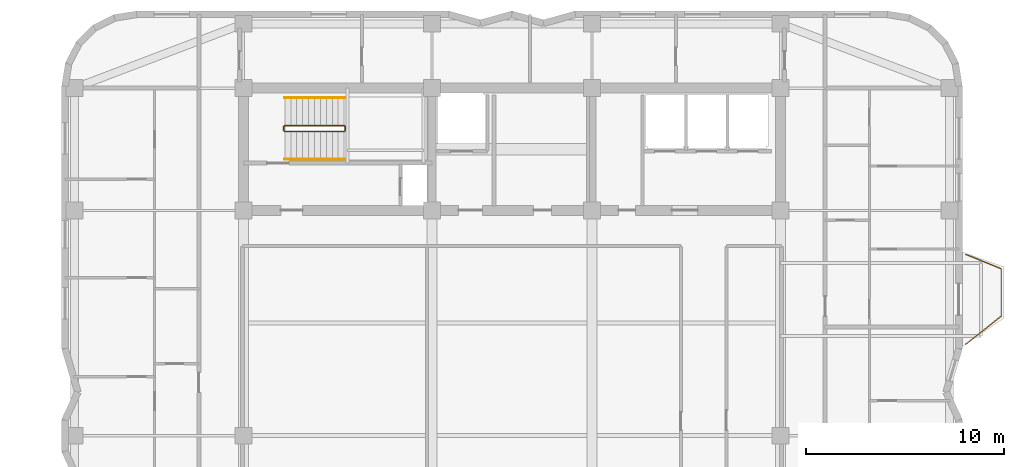
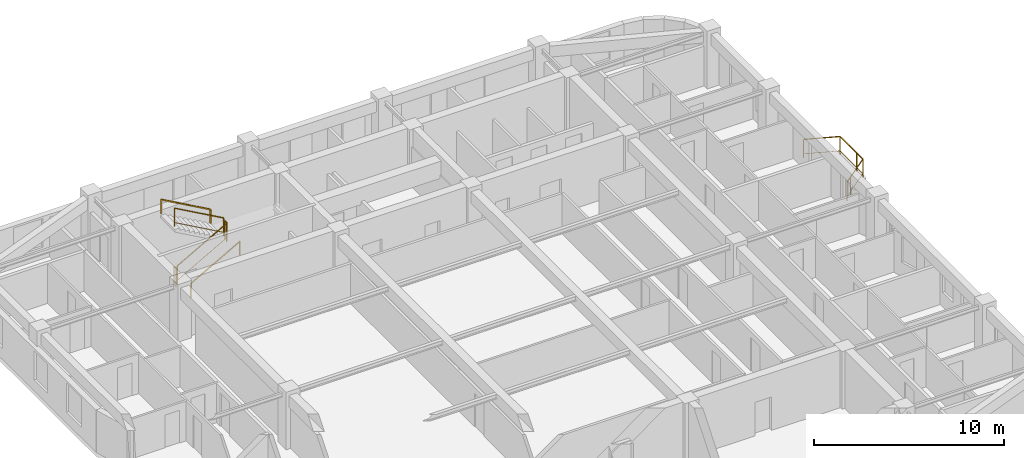
# One storey, part 9 of 9: 7 railings.
"""IFC4 building model written with IfcOpenShell, lengths in metres."""

from ifc_helpers import new_model, si_unit, direction, frame, origin, origin_2d, place, context, subcontext, project, spatial, rectangle, extrude, material, type_object, element, save


model = new_model("IFC4")

# Units and contexts
model_context = context("Model", 3, precision=1e-05, world=origin(), true_north=direction((0.0, 1.0)))
body_context = subcontext(model_context, "Body", "Model", "MODEL_VIEW")
ifc_project = project(units=[si_unit("LENGTHUNIT", "METRE"), si_unit("AREAUNIT", "SQUARE_METRE"), si_unit("VOLUMEUNIT", "CUBIC_METRE"), si_unit("PLANEANGLEUNIT", "RADIAN"), si_unit("MASSUNIT", "GRAM", prefix="KILO")], contexts=[model_context])

# Site, building, storey
site_placement = place(None, origin())
site = spatial("IfcSite", under=ifc_project, at=site_placement, CompositionType="ELEMENT")
building_placement = place(site_placement, origin())
building = spatial("IfcBuilding", under=site, at=building_placement, Name="Svetorya Sky Lyceum", CompositionType="ELEMENT")
storey_placement = place(building_placement, frame((0.0, 0.0, 211.0)))
storey = spatial("IfcBuildingStorey", under=building, at=storey_placement, Name="L52", CompositionType="ELEMENT", Elevation=211.0)

# Railings
ifc_material_1 = material(Name="Laminated safety glass and stainless AISI 316", Category="glass")
railing_type_1 = type_object("IfcRailingType", Name="RL-BAL-1200", PredefinedType="BALUSTRADE", material=ifc_material_1)
railing_1_placement = place(storey_placement, frame((62.169921875, 37.3798828125, 0.0)))
element("IfcRailing", 1, at=railing_1_placement, inside=storey, type_object=railing_type_1, Name="L52 Balcony Balustrade BAL-E1", PredefinedType="BALUSTRADE", context=body_context, shape_type="SweptSolid", body=[
    extrude(rectangle(XDim=0.048095703125, YDim=0.048095703125, at=origin_2d()), frame((0.0, 0.0, 1.17578125), z_axis=(0.926697865975, -0.375807218129, 0.0), x_axis=(0.375807218129, 0.926697865975, 0.0)), (0.0, 0.0, 1.0), 1.9423828125),
    extrude(rectangle(XDim=0.02392578125, YDim=0.02392578125, at=origin_2d()), frame((0.0, 0.0, 0.25), z_axis=(0.926697865975, -0.375807218129, 0.0), x_axis=(0.375807218129, 0.926697865975, 0.0)), (0.0, 0.0, 1.0), 1.9423828125),
    extrude(rectangle(XDim=0.048095703125, YDim=0.048095703125, at=origin_2d()), frame((1.800048828125, -0.72998046875, 1.17578125), z_axis=(0.0, -1.0, 0.0), x_axis=(1.0, 0.0, 0.0)), (0.0, 0.0, 1.0), 2.39990234375),
    extrude(rectangle(XDim=0.02392578125, YDim=0.02392578125, at=origin_2d()), frame((1.800048828125, -0.72998046875, 0.25), z_axis=(0.0, -1.0, 0.0), x_axis=(1.0, 0.0, 0.0)), (0.0, 0.0, 1.0), 2.39990234375),
    extrude(rectangle(XDim=0.048095703125, YDim=0.048095703125, at=origin_2d()), frame((1.800048828125, -3.1298828125, 1.17578125), z_axis=(-0.783008919264, -0.622010476079, 0.0), x_axis=(0.622010476079, -0.783008919264, 0.0)), (0.0, 0.0, 1.0), 2.298828125),
    extrude(rectangle(XDim=0.02392578125, YDim=0.02392578125, at=origin_2d()), frame((1.800048828125, -3.1298828125, 0.25), z_axis=(-0.783008919264, -0.622010476079, 0.0), x_axis=(0.622010476079, -0.783008919264, 0.0)), (0.0, 0.0, 1.0), 2.298828125),
    extrude(rectangle(XDim=0.0419921875, YDim=0.0419921875, at=origin_2d()), origin(), (0.0, 0.0, 1.0), 1.15185546875),
    extrude(rectangle(XDim=0.0419921875, YDim=0.0419921875, at=origin_2d()), frame((1.800048828125, -0.72998046875, 0.0)), (0.0, 0.0, 1.0), 1.15185546875),
    extrude(rectangle(XDim=0.0419921875, YDim=0.0419921875, at=origin_2d()), frame((1.800048828125, -2.47998046875, 0.0)), (0.0, 0.0, 1.0), 1.15185546875),
    extrude(rectangle(XDim=0.0419921875, YDim=0.0419921875, at=origin_2d()), frame((1.800048828125, -3.1298828125, 0.0)), (0.0, 0.0, 1.0), 1.15185546875),
    extrude(rectangle(XDim=0.0419921875, YDim=0.0419921875, at=origin_2d()), frame((0.4296875, -4.218505859375, 0.0)), (0.0, 0.0, 1.0), 1.15185546875),
    extrude(rectangle(XDim=0.0419921875, YDim=0.0419921875, at=origin_2d()), frame((0.0, -4.559814453125, 0.0)), (0.0, 0.0, 1.0), 1.15185546875),
])
ifc_material_2 = material(Name="Painted galvanized stair well guard")
railing_type_2 = type_object("IfcRailingType", Name="RL-STR-GUARD-1200", PredefinedType="GUARDRAIL", material=ifc_material_2)
railing_2_placement = place(storey_placement, frame((27.699951171875, 43.60009765625, 0.168212890625)))
element("IfcRailing", 2, at=railing_2_placement, inside=storey, type_object=railing_type_2, Name="L52 ST-N stair guard 1", PredefinedType="GUARDRAIL", context=body_context, shape_type="SweptSolid", body=[
    extrude(rectangle(XDim=0.048095703125, YDim=0.048095703125, at=origin_2d()), frame((0.0, 0.0, 1.17578125), z_axis=(0.872272294576, 0.0, 0.489020494575), x_axis=(0.0, 1.0, 0.0)), (0.0, 0.0, 1.0), 3.439208984375),
    extrude(rectangle(XDim=0.02392578125, YDim=0.02392578125, at=origin_2d()), frame((0.0, 0.0, 0.25), z_axis=(0.872272294576, 0.0, 0.489020494575), x_axis=(0.0, 1.0, 0.0)), (0.0, 0.0, 1.0), 3.439208984375),
    extrude(rectangle(XDim=0.0419921875, YDim=0.0419921875, at=origin_2d()), origin(), (0.0, 0.0, 1.0), 1.15185546875),
    extrude(rectangle(XDim=0.0419921875, YDim=0.0419921875, at=origin_2d()), frame((3.0, 0.0, 1.681884765625)), (0.0, 0.0, 1.0), 1.15185546875),
])
railing_3_placement = place(storey_placement, frame((30.75, 43.64990234375, 1.85009765625)))
element("IfcRailing", 3, at=railing_3_placement, inside=storey, type_object=railing_type_2, Name="L52 ST-N stair guard 2", PredefinedType="GUARDRAIL", context=body_context, shape_type="SweptSolid", body=[
    extrude(rectangle(XDim=0.048095703125, YDim=0.048095703125, at=origin_2d()), frame((0.0, 0.0, 1.17578125), z_axis=(0.0, 1.0, 0.0), x_axis=(-1.0, 0.0, 0.0)), (0.0, 0.0, 1.0), 0.2001953125),
    extrude(rectangle(XDim=0.02392578125, YDim=0.02392578125, at=origin_2d()), frame((0.0, 0.0, 0.25), z_axis=(0.0, 1.0, 0.0), x_axis=(-1.0, 0.0, 0.0)), (0.0, 0.0, 1.0), 0.2001953125),
    extrude(rectangle(XDim=0.0419921875, YDim=0.0419921875, at=origin_2d()), origin(), (0.0, 0.0, 1.0), 1.15185546875),
    extrude(rectangle(XDim=0.0419921875, YDim=0.0419921875, at=origin_2d()), frame((0.0, 0.2001953125, 0.0)), (0.0, 0.0, 1.0), 1.15185546875),
])
railing_4_placement = place(storey_placement, frame((30.699951171875, 43.89990234375, 2.01806640625)))
element("IfcRailing", 4, at=railing_4_placement, inside=storey, type_object=railing_type_2, Name="L52 ST-N stair guard 3", PredefinedType="GUARDRAIL", context=body_context, shape_type="SweptSolid", body=[
    extrude(rectangle(XDim=0.048095703125, YDim=0.048095703125, at=origin_2d()), frame((0.0, 0.0, 1.17578125), z_axis=(-0.872272294576, 0.0, 0.489020494575), x_axis=(0.0, -1.0, 0.0)), (0.0, 0.0, 1.0), 3.439208984375),
    extrude(rectangle(XDim=0.02392578125, YDim=0.02392578125, at=origin_2d()), frame((0.0, 0.0, 0.25), z_axis=(-0.872272294576, 0.0, 0.489020494575), x_axis=(0.0, -1.0, 0.0)), (0.0, 0.0, 1.0), 3.439208984375),
    extrude(rectangle(XDim=0.0419921875, YDim=0.0419921875, at=origin_2d()), origin(), (0.0, 0.0, 1.0), 1.15185546875),
    extrude(rectangle(XDim=0.0419921875, YDim=0.0419921875, at=origin_2d()), frame((-3.0, 0.0, 1.681884765625)), (0.0, 0.0, 1.0), 1.15185546875),
])
railing_5_placement = place(storey_placement, frame((27.64990234375, 43.64990234375, 0.0)))
element("IfcRailing", 5, at=railing_5_placement, inside=storey, type_object=railing_type_2, Name="L52 ST-N stair guard 4", PredefinedType="GUARDRAIL", context=body_context, shape_type="SweptSolid", body=[
    extrude(rectangle(XDim=0.048095703125, YDim=0.048095703125, at=origin_2d()), frame((0.0, 0.0, 1.17578125), z_axis=(0.0, 1.0, 0.0), x_axis=(-1.0, 0.0, 0.0)), (0.0, 0.0, 1.0), 0.2001953125),
    extrude(rectangle(XDim=0.02392578125, YDim=0.02392578125, at=origin_2d()), frame((0.0, 0.0, 0.25), z_axis=(0.0, 1.0, 0.0), x_axis=(-1.0, 0.0, 0.0)), (0.0, 0.0, 1.0), 0.2001953125),
    extrude(rectangle(XDim=0.0419921875, YDim=0.0419921875, at=origin_2d()), origin(), (0.0, 0.0, 1.0), 1.15185546875),
    extrude(rectangle(XDim=0.0419921875, YDim=0.0419921875, at=origin_2d()), frame((0.0, 0.2001953125, 0.0)), (0.0, 0.0, 1.0), 1.15185546875),
])
ifc_material_3 = material(Name="Brushed stainless AISI 304 stair handrail")
railing_type_3 = type_object("IfcRailingType", Name="RL-STR-HAND-920", PredefinedType="HANDRAIL", material=ifc_material_3)
railing_6_placement = place(storey_placement, frame((27.699951171875, 42.199951171875, 0.168212890625)))
element("IfcRailing", 6, at=railing_6_placement, inside=storey, type_object=railing_type_3, Name="L52 ST-N stair handrail 1", PredefinedType="HANDRAIL", context=body_context, shape_type="SweptSolid", body=[
    extrude(rectangle(XDim=0.048095703125, YDim=0.048095703125, at=origin_2d()), frame((0.0, 0.0, 0.8759765625), z_axis=(0.872272294576, 0.0, 0.489020494575), x_axis=(0.0, 1.0, 0.0)), (0.0, 0.0, 1.0), 3.439208984375),
    extrude(rectangle(XDim=0.0419921875, YDim=0.0419921875, at=origin_2d()), origin(), (0.0, 0.0, 1.0), 0.851806640625),
    extrude(rectangle(XDim=0.0419921875, YDim=0.0419921875, at=origin_2d()), frame((3.0, 0.0, 1.681884765625)), (0.0, 0.0, 1.0), 0.851806640625),
])
railing_7_placement = place(storey_placement, frame((30.699951171875, 45.300048828125, 2.01806640625)))
element("IfcRailing", 7, at=railing_7_placement, inside=storey, type_object=railing_type_3, Name="L52 ST-N stair handrail 2", PredefinedType="HANDRAIL", context=body_context, shape_type="SweptSolid", body=[
    extrude(rectangle(XDim=0.048095703125, YDim=0.048095703125, at=origin_2d()), frame((0.0, 0.0, 0.8759765625), z_axis=(-0.872272294576, 0.0, 0.489020494575), x_axis=(0.0, -1.0, 0.0)), (0.0, 0.0, 1.0), 3.439208984375),
    extrude(rectangle(XDim=0.0419921875, YDim=0.0419921875, at=origin_2d()), origin(), (0.0, 0.0, 1.0), 0.851806640625),
    extrude(rectangle(XDim=0.0419921875, YDim=0.0419921875, at=origin_2d()), frame((-3.0, 0.0, 1.681884765625)), (0.0, 0.0, 1.0), 0.851806640625),
])

save(model, "model.ifc")
